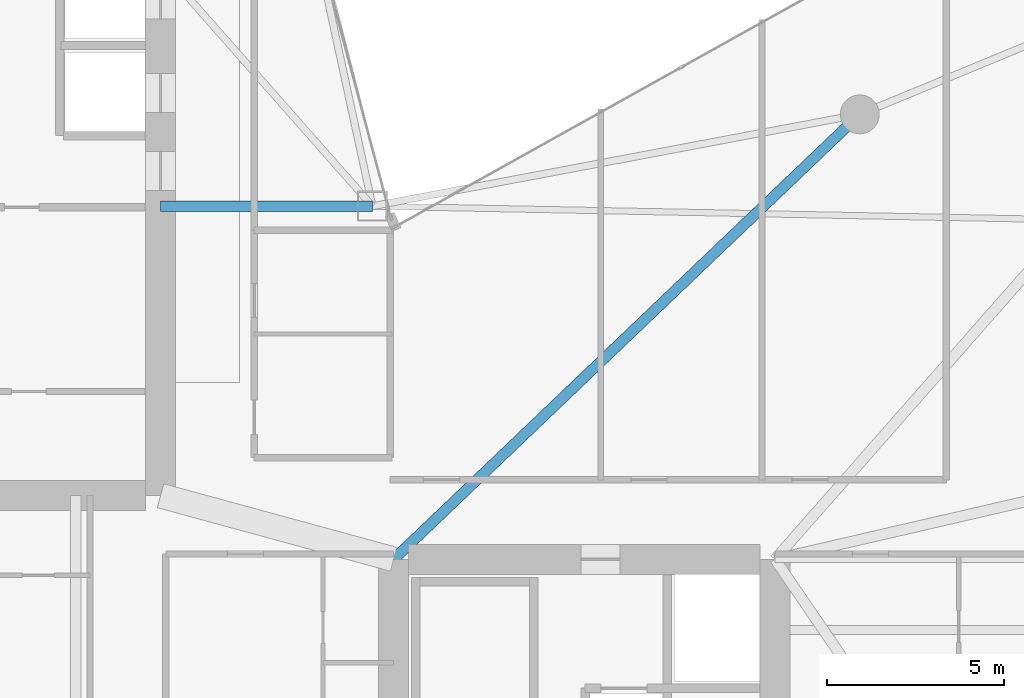
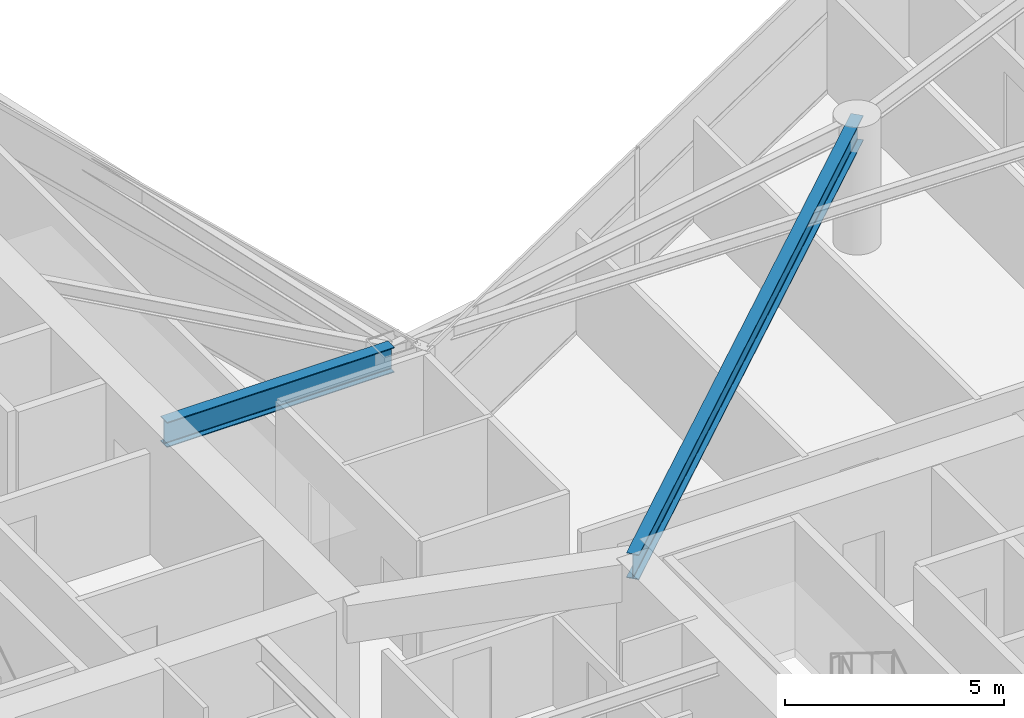
# One storey, part 9 of 28: 2 beams.
"""IFC4 building model written with IfcOpenShell, lengths in metres."""

import ifcopenshell
import ifcopenshell.guid

model = None  # the IFC model being written
_history = None  # IfcOwnerHistory: only IFC2X3 demands one
_inside = {}  # id of a spatial element -> (the spatial element, [elements in it])
_under = {}  # id of a project, library or spatial element -> (it, [spatial elements below it])
_declared = {}  # id of a project -> (the project, [libraries it declares])
_typed = {}  # id of a type object -> (the type object, [elements of that type])
_made_of = {}  # id of a material, layer set ... -> (it, [elements and type objects made of it])


def new_model(schema):
    """Start an empty IFC model of exactly this schema.

    Asked for "IFC4X3", IfcOpenShell would pick the latest addendum, in which some entities
    have other attributes; the version numbers below select the first issue.
    IFC2X3 requires an IfcOwnerHistory on every rooted entity: one is made here for all.
    """
    global model, _history
    if schema == "IFC4X3":
        model = ifcopenshell.file(schema_version=(4, 3, 0, 0))
    else:
        model = ifcopenshell.file(schema=schema)
    _inside.clear()
    _under.clear()
    _declared.clear()
    _typed.clear()
    _made_of.clear()
    _history = None
    if model.schema == "IFC2X3":
        org = make("IfcOrganization", Name="unknown")
        user = make(
            "IfcPersonAndOrganization",
            ThePerson=make("IfcPerson", FamilyName="unknown"),
            TheOrganization=org,
        )
        app = make(
            "IfcApplication",
            ApplicationDeveloper=org,
            Version="unknown",
            ApplicationFullName="unknown",
            ApplicationIdentifier="unknown",
        )
        _history = make(
            "IfcOwnerHistory",
            OwningUser=user,
            OwningApplication=app,
            ChangeAction="ADDED",
            CreationDate=0,
        )
    return model


def make(cls, **values):
    """One entity of the class cls with the attributes given. An attribute that is None is left unset."""
    return model.create_entity(
        cls, **{name: value for name, value in values.items() if value is not None}
    )


def rooted(cls, **values):
    """An entity with a GlobalId (a new one), such as an element, a storey or a relation."""
    return make(cls, GlobalId=ifcopenshell.guid.new(), OwnerHistory=_history, **values)


def si_unit(unit_type, name, prefix=None):
    """IfcSIUnit, for example si_unit("LENGTHUNIT", "METRE", prefix="MILLI")."""
    return make("IfcSIUnit", UnitType=unit_type, Prefix=prefix, Name=name)


def assignment(units):
    """IfcUnitAssignment: the units of a project."""
    return None if units is None else make("IfcUnitAssignment", Units=units)


def point(xyz):
    """IfcCartesianPoint."""
    return None if xyz is None else make("IfcCartesianPoint", Coordinates=xyz)


def direction(xyz):
    """IfcDirection."""
    return None if xyz is None else make("IfcDirection", DirectionRatios=xyz)


def frame(location, z_axis=None, x_axis=None):
    """IfcAxis2Placement3D, a coordinate frame: its origin and axes. An axis left out is left unset."""
    return make(
        "IfcAxis2Placement3D",
        Location=point(location),
        Axis=direction(z_axis),
        RefDirection=direction(x_axis),
    )


def frame_2d(location, x_axis=None):
    """IfcAxis2Placement2D, a coordinate frame in the plane: its origin and x axis."""
    return make(
        "IfcAxis2Placement2D", Location=point(location), RefDirection=direction(x_axis)
    )


def origin():
    """The frame at (0, 0, 0) with its axes left unset."""
    return frame((0.0, 0.0, 0.0))


def origin_2d():
    """The frame at (0, 0) in the plane with its x axis left unset."""
    return frame_2d((0.0, 0.0))


def place(relative_to, where):
    """IfcLocalPlacement: puts the frame where relative to a parent placement (None: the world)."""
    return make(
        "IfcLocalPlacement", PlacementRelTo=relative_to, RelativePlacement=where
    )


def context(
    kind, dimensions, precision=None, world=None, true_north=None, identifier=None
):
    """IfcGeometricRepresentationContext, for example the 3D "Model" context."""
    return make(
        "IfcGeometricRepresentationContext",
        ContextIdentifier=identifier,
        ContextType=kind,
        CoordinateSpaceDimension=dimensions,
        Precision=precision,
        WorldCoordinateSystem=world,
        TrueNorth=true_north,
    )


def subcontext(parent, identifier, kind, view, scale=None):
    """IfcGeometricRepresentationSubContext, for example "Body" below "Model"."""
    return make(
        "IfcGeometricRepresentationSubContext",
        ContextIdentifier=identifier,
        ContextType=kind,
        ParentContext=parent,
        TargetScale=scale,
        TargetView=view,
    )


def project(units=None, contexts=None):
    """IfcProject with its units and contexts."""
    return rooted(
        "IfcProject",
        Name="project",
        RepresentationContexts=contexts,
        UnitsInContext=assignment(units),
    )


def spatial(cls, under=None, at=None, **own):
    """A site, building, storey or space (cls), placed at a placement, below another one or the project."""
    s = rooted(cls, ObjectPlacement=at, **own)
    if under is not None:
        _under.setdefault(under.id(), (under, []))[1].append(s)
    return s


def profile(cls, at=None, kind="AREA", **sizes):
    """A parametric profile (cls). Its sizes go by their IFC names, for example OverallWidth=200.0."""
    return make(cls, ProfileType=kind, Position=at, **sizes)


def i_section(**sizes):
    """IfcIShapeProfileDef."""
    return profile("IfcIShapeProfileDef", **sizes)


def extrude(swept, where, along, depth):
    """IfcExtrudedAreaSolid: the profile swept, set in the frame where, extruded along a direction by depth."""
    return make(
        "IfcExtrudedAreaSolid",
        SweptArea=swept,
        Position=where,
        ExtrudedDirection=direction(along),
        Depth=depth,
    )


def shape(context_of_items, identifier, shape_type, items):
    """IfcShapeRepresentation: the items that make up one representation, for example the "Body"."""
    return make(
        "IfcShapeRepresentation",
        ContextOfItems=context_of_items,
        RepresentationIdentifier=identifier,
        RepresentationType=shape_type,
        Items=items,
    )


def material(Name=None, Category=None):
    """IfcMaterial."""
    return make("IfcMaterial", Name=Name, Category=Category)


def material_profile(
    of_material, cross_section, Name=None, Category=None, Priority=None
):
    """IfcMaterialProfile: a cross section and its material."""
    return make(
        "IfcMaterialProfile",
        Name=Name,
        Material=of_material,
        Profile=cross_section,
        Priority=Priority,
        Category=Category,
    )


def profile_set(profiles, Name=None, composite=None):
    """IfcMaterialProfileSet."""
    return make(
        "IfcMaterialProfileSet",
        Name=Name,
        MaterialProfiles=profiles,
        CompositeProfile=composite,
    )


def made_of(thing, what):
    """Note that an element or type object is made of a material, layer set ...; save() writes the relation."""
    if what is not None:
        _made_of.setdefault(what.id(), (what, []))[1].append(thing)
    return thing


def type_object(cls, material=None, **own):
    """A type object (cls), such as IfcWallType, which elements share."""
    return made_of(rooted(cls, **own), material)


def element(
    cls,
    number,
    at=None,
    inside=None,
    cuts=None,
    type_object=None,
    material=None,
    context=None,
    identifier="Body",
    shape_type=None,
    held_by="IfcProductDefinitionShape",
    body=None,
    shapes=None,
    **own,
):
    """One element of the class cls, such as IfcWall. Its Tag is "e" and its number.

    at: its placement. inside: the storey or other place that contains it. cuts: it is an
    opening in that element (IfcRelVoidsElement). A single representation is given by context,
    identifier, shape_type and body (its items); several are given by shapes. held_by: the class
    of the entity that holds the representations. save() writes the other relations.
    """
    e = rooted(cls, Tag="e%d" % number, ObjectPlacement=at, **own)
    if body is not None:
        shapes = [shape(context, identifier, shape_type, body)]
    if shapes is not None:
        e.Representation = make(held_by, Representations=shapes)
    if inside is not None:
        _inside.setdefault(inside.id(), (inside, []))[1].append(e)
    if cuts is not None:
        rooted(
            "IfcRelVoidsElement", RelatingBuildingElement=cuts, RelatedOpeningElement=e
        )
    if type_object is not None:
        _typed.setdefault(type_object.id(), (type_object, []))[1].append(e)
    return made_of(e, material)


def aggregate(whole, parts):
    """IfcRelAggregates: a whole, such as a stair, and the parts it consists of."""
    return rooted("IfcRelAggregates", RelatingObject=whole, RelatedObjects=parts)


def save(model, path):
    """Write the relations noted so far, then the file.

    IfcRelAggregates (storeys below a building ...), IfcRelContainedInSpatialStructure (elements
    in a storey), IfcRelDefinesByType, IfcRelAssociatesMaterial and IfcRelDeclares: one each for
    every whole, place, type object, material and project.
    """
    for whole, parts in _under.values():
        aggregate(whole, parts)
    for where, things in _inside.values():
        rooted(
            "IfcRelContainedInSpatialStructure",
            RelatedElements=things,
            RelatingStructure=where,
        )
    for kind, things in _typed.values():
        rooted("IfcRelDefinesByType", RelatedObjects=things, RelatingType=kind)
    for what, things in _made_of.values():
        rooted("IfcRelAssociatesMaterial", RelatedObjects=things, RelatingMaterial=what)
    for by, libraries in _declared.values():
        rooted("IfcRelDeclares", RelatingContext=by, RelatedDefinitions=libraries)
    model.write(path)


model = new_model("IFC4")

# Units and contexts
model_context = context("Model", 3, precision=1e-05, world=origin(), true_north=direction((0.0, 1.0)))
body_context = subcontext(model_context, "Body", "Model", "MODEL_VIEW")
ifc_project = project(units=[si_unit("LENGTHUNIT", "METRE"), si_unit("AREAUNIT", "SQUARE_METRE"), si_unit("VOLUMEUNIT", "CUBIC_METRE"), si_unit("PLANEANGLEUNIT", "RADIAN"), si_unit("MASSUNIT", "GRAM", prefix="KILO")], contexts=[model_context])

# Site, building, storey
site_placement = place(None, origin())
site = spatial("IfcSite", under=ifc_project, at=site_placement, CompositionType="ELEMENT")
building_placement = place(site_placement, origin())
building = spatial("IfcBuilding", under=site, at=building_placement, Name="Calvorn Quay Hotel", CompositionType="ELEMENT")
storey_placement = place(building_placement, frame((0.0, 0.0, 116.39990234375)))
storey = spatial("IfcBuildingStorey", under=building, at=storey_placement, Name="L28", CompositionType="ELEMENT", Elevation=116.39990234375)

# Beams
ifc_material = material(Name="Steel Q390GJC", Category="steel")
ifc_material_profile = material_profile(ifc_material, i_section(OverallWidth=0.300048828125, OverallDepth=0.699951171875, WebThickness=0.012939453125, FlangeThickness=0.02392578125, FilletRadius=0.02392578125, at=origin_2d()), Name="HN700x300x13x24")
ifc_profile_set = profile_set([ifc_material_profile], Name="Steel Q390GJC")
beam_type = type_object("IfcBeamType", Name="BM-GIRD-MAIN", PredefinedType="BEAM", material=ifc_profile_set)
beam_1_placement = place(storey_placement, frame((21.0, 25.0, 3.190185546875), z_axis=(-1.0, 0.0, 0.0), x_axis=(0.0, -1.0, 0.0)))
element("IfcBeam", 1, at=beam_1_placement, inside=storey, type_object=beam_type, Name="Beam BG-L28-W7", PredefinedType="BEAM", context=body_context, shape_type="SweptSolid", body=[
    extrude(i_section(OverallWidth=0.300048828125, OverallDepth=0.699951171875, WebThickness=0.012939453125, FlangeThickness=0.02392578125, FilletRadius=0.02392578125, at=origin_2d()), origin(), (0.0, 0.0, 1.0), 6.0),
])
beam_2_placement = place(storey_placement, frame((21.60009765625, 15.0, 3.190185546875), z_axis=(0.723351595578, 0.690479883252, 0.0), x_axis=(-0.690479883252, 0.723351595578, 0.0)))
element("IfcBeam", 2, at=beam_2_placement, inside=storey, type_object=beam_type, Name="Beam BG-L28-E4", PredefinedType="BEAM", context=body_context, shape_type="SweptSolid", body=[
    extrude(i_section(OverallWidth=0.300048828125, OverallDepth=0.699951171875, WebThickness=0.012939453125, FlangeThickness=0.02392578125, FilletRadius=0.02392578125, at=origin_2d()), origin(), (0.0, 0.0, 1.0), 18.248291015625),
])

save(model, "model.ifc")
